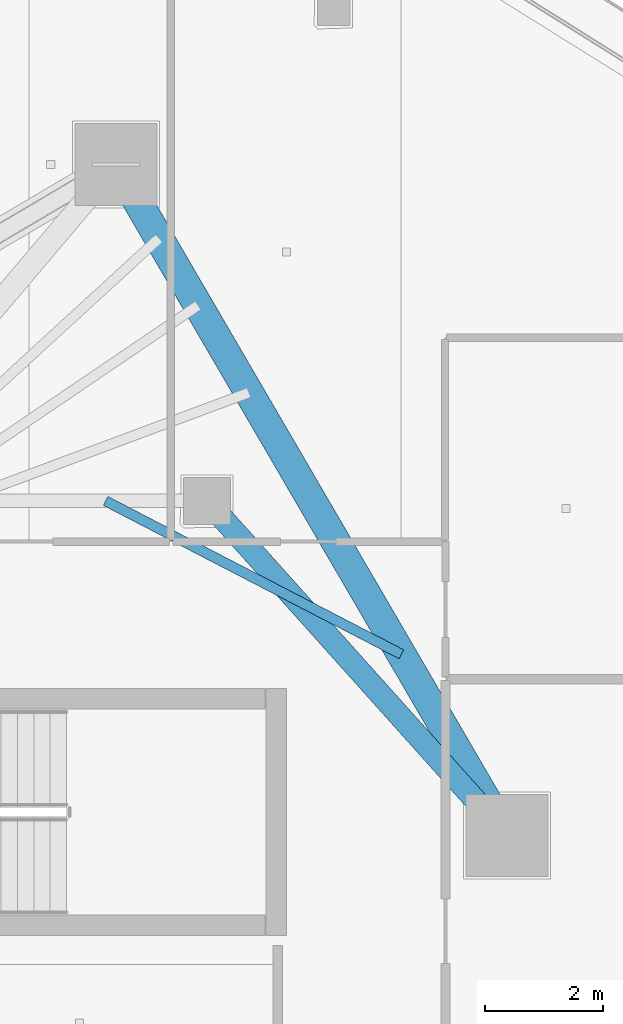
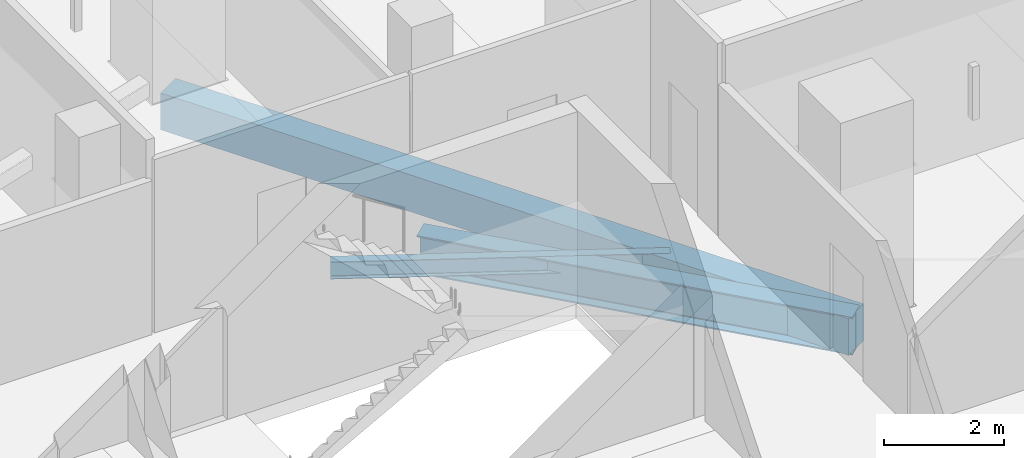
# One storey, part 17 of 30: 3 beams.
"""IFC4 building model written with IfcOpenShell, lengths in metres."""

from ifc_helpers import new_model, si_unit, direction, frame, origin, origin_2d, place, context, subcontext, project, spatial, rectangle, i_section, extrude, material, material_profile, profile_set, type_object, element, save


model = new_model("IFC4")

# Units and contexts
model_context = context("Model", 3, precision=1e-05, world=origin(), true_north=direction((0.0, 1.0)))
body_context = subcontext(model_context, "Body", "Model", "MODEL_VIEW")
ifc_project = project(units=[si_unit("LENGTHUNIT", "METRE"), si_unit("AREAUNIT", "SQUARE_METRE"), si_unit("VOLUMEUNIT", "CUBIC_METRE"), si_unit("PLANEANGLEUNIT", "RADIAN"), si_unit("MASSUNIT", "GRAM", prefix="KILO")], contexts=[model_context])

# Site, building, storey
site_placement = place(None, origin())
site = spatial("IfcSite", under=ifc_project, at=site_placement, CompositionType="ELEMENT")
building_placement = place(site_placement, origin())
building = spatial("IfcBuilding", under=site, at=building_placement, Name="Qorvath Tower", CompositionType="ELEMENT")
storey_placement = place(building_placement, frame((0.0, 0.0, 289.199951171875)))
storey = spatial("IfcBuildingStorey", under=building, at=storey_placement, Name="L67", CompositionType="ELEMENT", Elevation=289.199951171875)

# Beams
ifc_material_1 = material(Name="Steel ASTM A992 Grade 50", Category="steel")
ifc_material_profile_1 = material_profile(ifc_material_1, i_section(OverallWidth=0.381103515625, OverallDepth=0.77294921875, WebThickness=0.0166015625, FlangeThickness=0.027099609375, FilletRadius=0.01904296875, at=origin_2d()), Name="W30x173")
ifc_profile_set_1 = profile_set([ifc_material_profile_1], Name="Steel ASTM A992 Grade 50")
beam_type_1 = type_object("IfcBeamType", Name="BM-FG3", PredefinedType="BEAM", material=ifc_profile_set_1)
beam_1_placement = place(storey_placement, frame((-17.199951171875, 11.449951171875, -0.676513671875), z_axis=(0.667543184261, -0.744571082669, 0.0), x_axis=(0.744571082669, 0.667543184261, 0.0)))
element("IfcBeam", 1, at=beam_1_placement, inside=storey, type_object=beam_type_1, Name="Radial Floor Girder CC2-MC5 L67", PredefinedType="BEAM", context=body_context, shape_type="SweptSolid", body=[
    extrude(i_section(OverallWidth=0.381103515625, OverallDepth=0.77294921875, WebThickness=0.0166015625, FlangeThickness=0.027099609375, FilletRadius=0.01904296875, at=origin_2d()), origin(), (0.0, 0.0, 1.0), 7.644775390625),
])
ifc_material_2 = material(Name="Steel ASTM A992 Grade 50", Category="steel")
ifc_material_profile_2 = material_profile(ifc_material_2, i_section(OverallWidth=0.1708984375, OverallDepth=0.35107421875, WebThickness=0.0068359375, FlangeThickness=0.009765625, FilletRadius=0.010009765625, at=origin_2d()), Name="W14x30")
ifc_profile_set_2 = profile_set([ifc_material_profile_2], Name="Steel ASTM A992 Grade 50")
beam_type_2 = type_object("IfcBeamType", Name="BM-FJ4", PredefinedType="JOIST", material=ifc_profile_set_2)
beam_2_placement = place(storey_placement, frame((-18.927978515625, 11.449951171875, -0.465576171875), z_axis=(0.887840529015, -0.460151274082, 0.0), x_axis=(0.460151274082, 0.887840529015, 0.0)))
element("IfcBeam", 2, at=beam_2_placement, inside=storey, type_object=beam_type_2, Name="Composite Floor Joist NE2 L67", PredefinedType="JOIST", context=body_context, shape_type="SweptSolid", body=[
    extrude(i_section(OverallWidth=0.1708984375, OverallDepth=0.35107421875, WebThickness=0.0068359375, FlangeThickness=0.009765625, FilletRadius=0.010009765625, at=origin_2d()), origin(), (0.0, 0.0, 1.0), 5.670654296875),
])
ifc_material_3 = material(Name="Concrete C45/55", Category="concrete")
ifc_material_profile_3 = material_profile(ifc_material_3, rectangle(XDim=0.5, YDim=0.75, at=origin_2d()), Name="RCB 750x500")
ifc_profile_set_3 = profile_set([ifc_material_profile_3], Name="Concrete C45/55")
beam_type_3 = type_object("IfcBeamType", Name="BM-RCB3", PredefinedType="SPANDREL", material=ifc_profile_set_3)
beam_3_placement = place(storey_placement, frame((-12.0966796875, 5.7578125, -0.6650390625), z_axis=(-0.503502256692, 0.863993910572, 0.0), x_axis=(-0.863993910572, -0.503502256692, 0.0)))
element("IfcBeam", 3, at=beam_3_placement, inside=storey, type_object=beam_type_3, Name="Perimeter Loggia Frame Beam MC5-MC6 L67", PredefinedType="SPANDREL", context=body_context, shape_type="SweptSolid", body=[
    extrude(rectangle(XDim=0.5, YDim=0.75, at=origin_2d()), origin(), (0.0, 0.0, 1.0), 13.215087890625),
])

save(model, "model.ifc")
